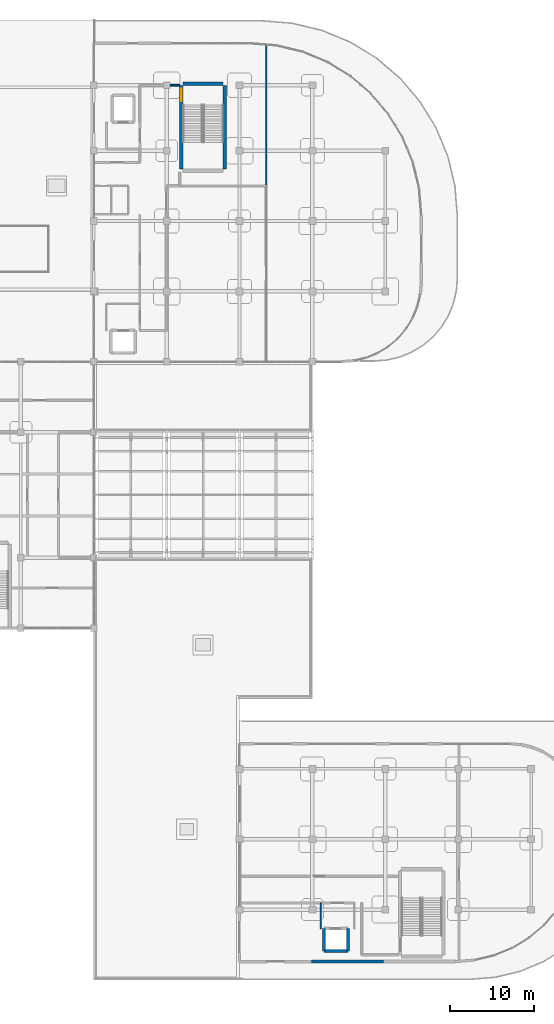
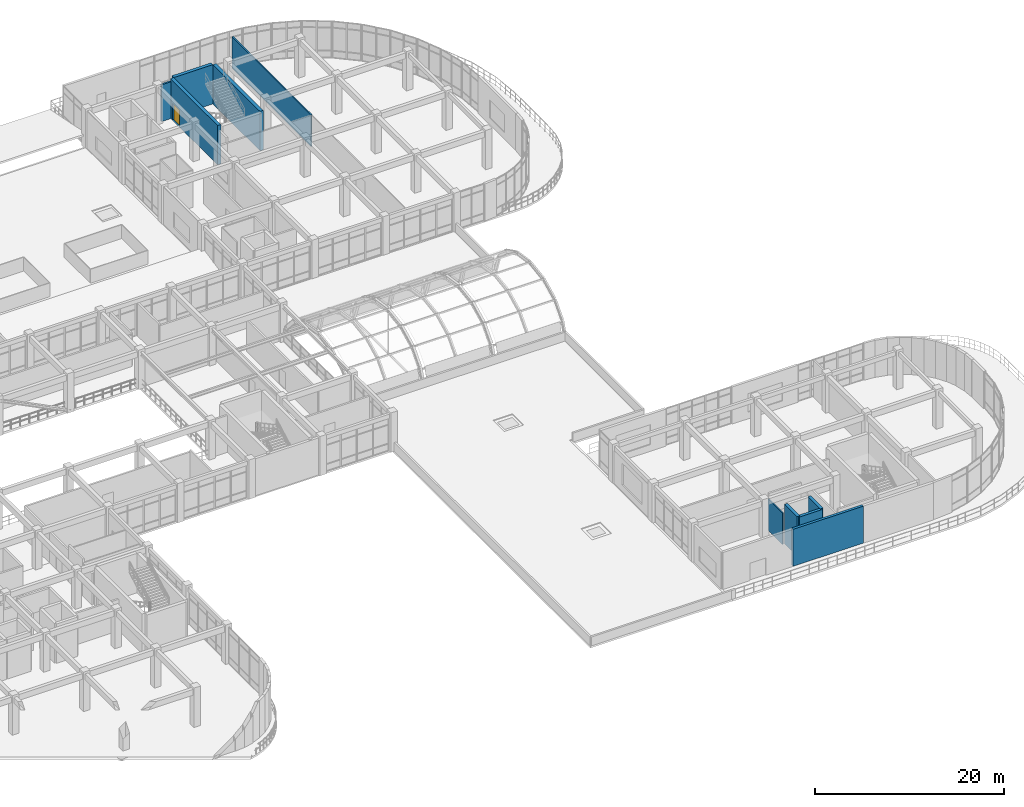
# One storey, part 110 of 124: 10 walls, 1 door, 1 opening.
"""IFC4 building model written with IfcOpenShell, lengths in metres."""

from ifc_helpers import new_model, si_unit, derived_unit, direction, frame, frame_2d, origin, place, context, subcontext, project, spatial, rectangle, extrude, material, layer, layer_set, type_object, element, fill, save


model = new_model("IFC4")

# Units and contexts
model_context = context("Model", 3, precision=1e-05, world=origin(), true_north=direction((0.0, 1.0)))
body_context = subcontext(model_context, "Body", "Model", "MODEL_VIEW")
ifc_project = project(units=[si_unit("LENGTHUNIT", "METRE"), si_unit("AREAUNIT", "SQUARE_METRE"), si_unit("VOLUMEUNIT", "CUBIC_METRE"), si_unit("PLANEANGLEUNIT", "RADIAN"), si_unit("MASSUNIT", "GRAM", prefix="KILO"), derived_unit("THERMALTRANSMITTANCEUNIT", [(si_unit("MASSUNIT", "GRAM", prefix="KILO"), 1), (si_unit("TIMEUNIT", "SECOND"), -3), (si_unit("THERMODYNAMICTEMPERATUREUNIT", "KELVIN"), -1)])], contexts=[model_context])

# Site, building, storey
site_placement = place(None, origin())
site = spatial("IfcSite", under=ifc_project, at=site_placement, CompositionType="ELEMENT")
building_placement = place(site_placement, origin())
building = spatial("IfcBuilding", under=site, at=building_placement, Name="Qinzheling Arcade Emporium", CompositionType="ELEMENT")
storey_placement = place(building_placement, frame((0.0, 0.0, 16.5)))
storey = spatial("IfcBuildingStorey", under=building, at=storey_placement, Name="L04", CompositionType="ELEMENT", Elevation=16.5)

# Walls
ifc_material_1 = material(Name="Double-stud acoustic gypsum board partition")
ifc_layer_1 = layer(ifc_material_1, 0.215087890625, Name="Double-stud acoustic gypsum board partition")
ifc_layer_set_1 = layer_set([ifc_layer_1], Name="Double-stud acoustic gypsum board partition")
wall_type_1 = type_object("IfcWallType", Name="Acoustic Corridor Partition Wall 215", PredefinedType="PARTITIONING", material=ifc_layer_set_1)
wall_1_placement = place(storey_placement, frame((113.510009765625, 106.800048828125, 0.0), z_axis=(0.0, 0.0, 1.0), x_axis=(1.0, 0.0, 0.0)))
element("IfcWall", 1, at=wall_1_placement, inside=storey, type_object=wall_type_1, Name="Interior Wall WL-L04-INT-0636", PredefinedType="PARTITIONING", context=body_context, shape_type="SweptSolid", body=[
    extrude(rectangle(XDim=1.139892578125, YDim=0.215087890625, at=frame_2d((0.56982421875, 0.0))), origin(), (0.0, 0.0, 1.0), 4.760009765625),
])
ifc_material_2 = material(Name="Lightweight atelier partition")
ifc_layer_2 = layer(ifc_material_2, 0.14990234375, Name="Lightweight atelier partition")
ifc_layer_set_2 = layer_set([ifc_layer_2], Name="Lightweight atelier partition")
wall_type_2 = type_object("IfcWallType", Name="Atelier Partition Wall 150", PredefinedType="PARTITIONING", material=ifc_layer_set_2)
wall_2_placement = place(storey_placement, frame((125.0, 94.800048828125, 0.0), z_axis=(0.0, 0.0, 1.0), x_axis=(0.0, 1.0, 0.0)))
element("IfcWall", 2, at=wall_2_placement, inside=storey, type_object=wall_type_2, Name="Interior Wall WL-L04-INT-0689", PredefinedType="PARTITIONING", context=body_context, shape_type="SweptSolid", body=[
    extrude(rectangle(XDim=16.742919921875, YDim=0.14990234375, at=frame_2d((8.37158203125, 0.0))), origin(), (0.0, 0.0, 1.0), 4.074951171875),
])
ifc_material_3 = material(Name="Glazed-transom steel-stud office partition", Category="steel")
ifc_layer_3 = layer(ifc_material_3, 0.135009765625, Name="Glazed-transom steel-stud office partition", Category="steel")
ifc_layer_set_3 = layer_set([ifc_layer_3], Name="Glazed-transom steel-stud office partition")
wall_type_3 = type_object("IfcWallType", Name="Buying Office Acoustic Partition Wall 135", PredefinedType="PARTITIONING", material=ifc_layer_set_3)
wall_3_placement = place(storey_placement, frame((131.5, 6.1298828125, 0.0), z_axis=(0.0, 0.0, 1.0), x_axis=(0.0, 1.0, 0.0)))
element("IfcWall", 3, at=wall_3_placement, inside=storey, type_object=wall_type_3, Name="Interior Wall WL-L04-INT-0602", PredefinedType="PARTITIONING", context=body_context, shape_type="SweptSolid", body=[
    extrude(rectangle(XDim=3.070068359375, YDim=0.135009765625, at=frame_2d((1.53515625, 0.0))), origin(), (0.0, 0.0, 1.0), 4.044921875),
])
ifc_material_4 = material(Name="Glazed cream terracotta insulated wall", Category="masonry")
ifc_layer_4 = layer(ifc_material_4, 0.320068359375, Name="Glazed cream terracotta insulated wall", Category="masonry")
ifc_layer_set_4 = layer_set([ifc_layer_4], Name="Glazed cream terracotta insulated wall")
wall_type_4 = type_object("IfcWallType", Name="Chicago Frame Infill Wall 320", PredefinedType="STANDARD", material=ifc_layer_set_4)
wall_4_placement = place(storey_placement, frame((138.998046875, 2.199951171875, 0.0), z_axis=(0.0, 0.0, 1.0), x_axis=(-1.0, 0.0, 0.0)))
element("IfcWall", 4, at=wall_4_placement, inside=storey, type_object=wall_type_4, Name="Exterior Wall WL-L04-EW-0214", PredefinedType="STANDARD", context=body_context, shape_type="SweptSolid", body=[
    extrude(rectangle(XDim=8.595947265625, YDim=0.320068359375, at=frame_2d((4.2978515625, 0.0))), origin(), (0.0, 0.0, 1.0), 4.7900390625),
])
ifc_material_5 = material(Name="Concrete C40", Category="concrete")
ifc_layer_5 = layer(ifc_material_5, 0.35009765625, Name="Concrete C40", Category="concrete")
ifc_layer_set_5 = layer_set([ifc_layer_5], Name="Concrete C40")
wall_type_5 = type_object("IfcWallType", Name="RC Lift Shaft Shear Wall 350 C40", PredefinedType="SHEAR", material=ifc_layer_set_5)
wall_5_placement = place(storey_placement, frame((134.72509765625, 3.47509765625, 0.0), z_axis=(0.0, 0.0, 1.0), x_axis=(-1.0, 0.0, 0.0)))
element("IfcWall", 5, at=wall_5_placement, inside=storey, type_object=wall_type_5, Name="Lift Shaft Wall WL-L04-LFT-LP05-S", PredefinedType="SHEAR", context=body_context, shape_type="SweptSolid", body=[
    extrude(rectangle(XDim=2.85009765625, YDim=0.35009765625, at=frame_2d((1.425048828125, 0.0))), origin(), (0.0, 0.0, 1.0), 5.10009765625),
])
for number, where, z_axis, x_axis, name in (
    (6, (131.875, 3.47509765625, 0.0), (0.0, 0.0, 1.0), (0.0, 1.0, 0.0), "Lift Shaft Wall WL-L04-LFT-LP05-W"),
    (7, (134.72509765625, 6.125, 0.0), (0.0, 0.0, 1.0), (0.0, -1.0, 0.0), "Lift Shaft Wall WL-L04-LFT-LP05-E"),
):
    element("IfcWall", number, at=place(storey_placement, frame(where, z_axis=z_axis, x_axis=x_axis)), inside=storey, type_object=wall_type_5, Name=name, PredefinedType="SHEAR", context=body_context, shape_type="SweptSolid", body=[
        extrude(rectangle(XDim=2.64990234375, YDim=0.35009765625, at=frame_2d((1.324951171875, 0.0))), origin(), (0.0, 0.0, 1.0), 5.10009765625),
    ])

# Wall, opening, door
ifc_material_6 = material(Name="Concrete C50", Category="concrete")
ifc_layer_6 = layer(ifc_material_6, 0.39990234375, Name="Concrete C50", Category="concrete")
ifc_layer_set_6 = layer_set([ifc_layer_6], Name="Concrete C50")
wall_type_6 = type_object("IfcWallType", Name="RC Stair Core Shear Wall 400 C50", PredefinedType="SHEAR", material=ifc_layer_set_6)
wall_6_placement = place(storey_placement, frame((114.85498046875, 96.800048828125, 0.0), z_axis=(0.0, 0.0, 1.0), x_axis=(0.0, 1.0, 0.0)))
wall_6 = element("IfcWall", 8, at=wall_6_placement, inside=storey, type_object=wall_type_6, Name="Stair Core Wall WL-L04-ST08-WEST", PredefinedType="SHEAR", context=body_context, shape_type="SweptSolid", body=[
    extrude(rectangle(XDim=10.0, YDim=0.39990234375, at=frame_2d((5.0, 0.0))), origin(), (0.0, 0.0, 1.0), 5.10009765625),
])
opening_placement = place(wall_6_placement, frame((8.090087890625, 0.0, 0.0)))
opening = element("IfcOpeningElement", 9, at=opening_placement, cuts=wall_6, Name="Opening FD01", PredefinedType="OPENING", context=body_context, shape_type="SweptSolid", body=[
    extrude(rectangle(XDim=1.5, YDim=2.199951171875, at=frame_2d((0.75, 1.10009765625))), frame((0.0, 0.2099609375, 0.0), z_axis=(0.0, -1.0, 0.0), x_axis=(1.0, 0.0, 0.0)), (0.0, 0.0, 1.0), 0.419921875),
])
ifc_material_7 = material(Name="Class A fire-rated steel double door", Category="steel")
door_type = type_object("IfcDoorType", Name="Stairwell Smoke-Proof Fire Door 1500x2200", OperationType="DOUBLE_DOOR_SINGLE_SWING", PredefinedType="DOOR", material=ifc_material_7)
door_placement = place(opening_placement, origin())
door = element("IfcDoor", 10, at=door_placement, inside=storey, type_object=door_type, Name="FD01 Stairwell Fire Door DR-L04-ST08-FD", OperationType="DOUBLE_DOOR_SINGLE_SWING", OverallHeight=2.199951171875, OverallWidth=1.5, PredefinedType="DOOR", context=body_context, shape_type="SweptSolid", body=[
    extrude(rectangle(XDim=1.5, YDim=2.199951171875, at=frame_2d((0.75, 1.10009765625))), frame((0.0, 0.02490234375, 0.0), z_axis=(0.0, -1.0, 0.0), x_axis=(1.0, 0.0, 0.0)), (0.0, 0.0, 1.0), 0.050048828125),
])
fill(opening, door)

# Walls
wall_7_placement = place(storey_placement, frame((120.044921875, 106.800048828125, 0.0), z_axis=(0.0, 0.0, 1.0), x_axis=(0.0, -1.0, 0.0)))
element("IfcWall", 11, at=wall_7_placement, inside=storey, type_object=wall_type_6, Name="Stair Core Wall WL-L04-ST08-EAST", PredefinedType="SHEAR", context=body_context, shape_type="SweptSolid", body=[
    extrude(rectangle(XDim=10.0, YDim=0.39990234375, at=frame_2d((5.0, 0.0))), origin(), (0.0, 0.0, 1.0), 5.10009765625),
])
wall_8_placement = place(storey_placement, frame((115.054931640625, 107.0, 0.0), z_axis=(0.0, 0.0, 1.0), x_axis=(1.0, 0.0, 0.0)))
element("IfcWall", 12, at=wall_8_placement, inside=storey, type_object=wall_type_6, Name="Stair Core Wall WL-L04-ST08-NORTH", PredefinedType="SHEAR", context=body_context, shape_type="SweptSolid", body=[
    extrude(rectangle(XDim=4.7900390625, YDim=0.39990234375, at=frame_2d((2.39501953125, 0.0))), origin(), (0.0, 0.0, 1.0), 5.10009765625),
])

save(model, "model.ifc")
